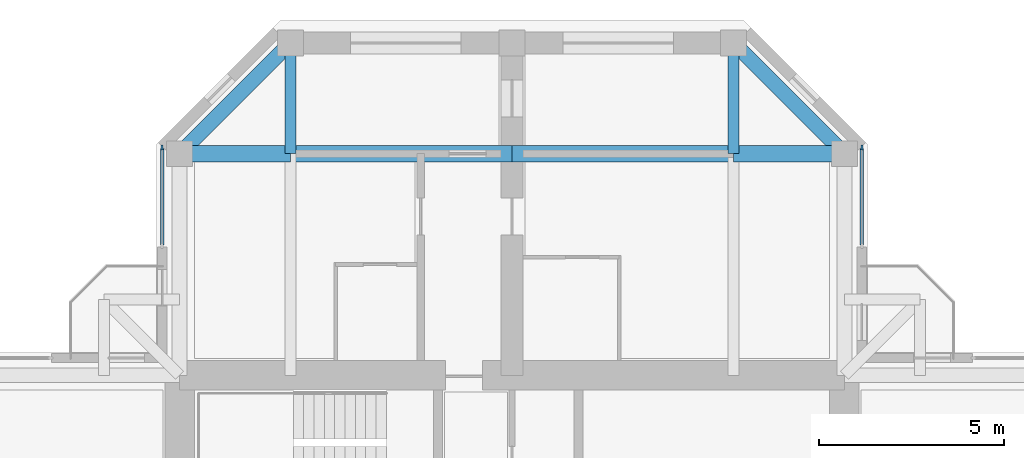
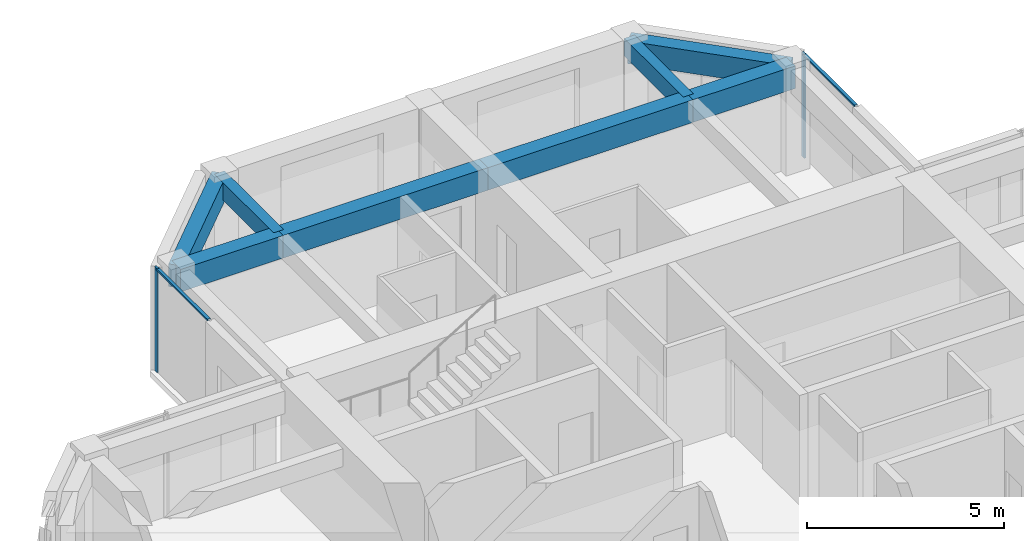
# One storey, part 6 of 13: 8 beams, 4 members, 2 elements without a shape of their own.
"""IFC4 building model written with IfcOpenShell, lengths in metres."""

from ifc_helpers import new_model, si_unit, direction, frame, origin, origin_2d, place, context, subcontext, project, spatial, rectangle, extrude, material, material_profile, profile_set, type_object, element, aggregate, save


model = new_model("IFC4")

# Units and contexts
model_context = context("Model", 3, precision=1e-05, world=origin(), true_north=direction((0.0, 1.0)))
body_context = subcontext(model_context, "Body", "Model", "MODEL_VIEW")
ifc_project = project(units=[si_unit("LENGTHUNIT", "METRE"), si_unit("AREAUNIT", "SQUARE_METRE"), si_unit("VOLUMEUNIT", "CUBIC_METRE"), si_unit("PLANEANGLEUNIT", "RADIAN"), si_unit("MASSUNIT", "GRAM", prefix="KILO")], contexts=[model_context])

# Site, building, storey
site_placement = place(None, origin())
site = spatial("IfcSite", under=ifc_project, at=site_placement, CompositionType="ELEMENT")
building_placement = place(site_placement, origin())
building = spatial("IfcBuilding", under=site, at=building_placement, Name="Torre Cruceta", CompositionType="ELEMENT")
storey_placement = place(building_placement, frame((0.0, 0.0, 267.89990234375)))
storey = spatial("IfcBuildingStorey", under=building, at=storey_placement, Name="L69", CompositionType="ELEMENT", Elevation=267.89990234375)

# Beams
ifc_material_1 = material(Name="Concrete G60 (fck 60 MPa)", Category="concrete")
ifc_material_profile_1 = material_profile(ifc_material_1, rectangle(XDim=0.300048828125, YDim=0.550048828125, at=origin_2d()), Name="RC 300X550")
ifc_profile_set_1 = profile_set([ifc_material_profile_1], Name="Concrete G60 (fck 60 MPa)")
beam_type_1 = type_object("IfcBeamType", Name="COLUMN LINE BEAM RC 300X550", PredefinedType="BEAM", material=ifc_profile_set_1)
for number, where, z_axis, x_axis, name in (
    (1, (6.0, 15.0, 2.945068359375), (0.0, 1.0, 0.0), (-1.0, 0.0, 0.0), "LB10 L69 N col- 2"),
    (2, (-6.0, 15.0, 2.945068359375), (0.0, 1.0, 0.0), (-1.0, 0.0, 0.0), "LB10 L69 N col+ 2"),
):
    element("IfcBeam", number, at=place(storey_placement, frame(where, z_axis=z_axis, x_axis=x_axis)), inside=storey, type_object=beam_type_1, Name=name, PredefinedType="BEAM", context=body_context, shape_type="SweptSolid", body=[
        extrude(rectangle(XDim=0.300048828125, YDim=0.550048828125, at=origin_2d()), origin(), (0.0, 0.0, 1.0), 3.0),
    ])
ifc_material_2 = material(Name="Concrete G60 (fck 60 MPa)", Category="concrete")
ifc_material_profile_2 = material_profile(ifc_material_2, rectangle(XDim=0.449951171875, YDim=0.699951171875, at=origin_2d()), Name="RC 450X700")
ifc_profile_set_2 = profile_set([ifc_material_profile_2], Name="Concrete G60 (fck 60 MPa)")
beam_type_2 = type_object("IfcBeamType", Name="CROSS BEAM RC 450X700", PredefinedType="BEAM", material=ifc_profile_set_2)
beam_1_placement = place(storey_placement, frame((9.0, 15.0, 2.8701171875), z_axis=(-1.0, 0.0, 0.0), x_axis=(0.0, -1.0, 0.0)))
element("IfcBeam", 3, at=beam_1_placement, inside=storey, type_object=beam_type_2, Name="GB8 L69 N cross15 1", PredefinedType="BEAM", context=body_context, shape_type="SweptSolid", body=[
    extrude(rectangle(XDim=0.449951171875, YDim=0.699951171875, at=origin_2d()), origin(), (0.0, 0.0, 1.0), 3.0),
])
for number, where, z_axis, x_axis, name in (
    (4, (6.0, 15.0, 2.8701171875), (-1.0, 0.0, 0.0), (0.0, -1.0, 0.0), "GB8 L69 N cross15 2"),
    (5, (0.0, 15.0, 2.8701171875), (-1.0, 0.0, 0.0), (0.0, -1.0, 0.0), "GB8 L69 N cross15 3"),
):
    element("IfcBeam", number, at=place(storey_placement, frame(where, z_axis=z_axis, x_axis=x_axis)), inside=storey, type_object=beam_type_2, Name=name, PredefinedType="BEAM", context=body_context, shape_type="SweptSolid", body=[
        extrude(rectangle(XDim=0.449951171875, YDim=0.699951171875, at=origin_2d()), origin(), (0.0, 0.0, 1.0), 6.0),
    ])
beam_2_placement = place(storey_placement, frame((-6.0, 15.0, 2.8701171875), z_axis=(-1.0, 0.0, 0.0), x_axis=(0.0, -1.0, 0.0)))
element("IfcBeam", 6, at=beam_2_placement, inside=storey, type_object=beam_type_2, Name="GB8 L69 N cross15 4", PredefinedType="BEAM", context=body_context, shape_type="SweptSolid", body=[
    extrude(rectangle(XDim=0.449951171875, YDim=0.699951171875, at=origin_2d()), origin(), (0.0, 0.0, 1.0), 3.0),
])

# Curtain wall, member
ifc_material_3 = material(Name="Aluminium unitised curtain wall", Category="aluminium")
curtain_wall_type = type_object("IfcCurtainWallType", Name="CURTAIN WALL CW-E CO-LIVING TOP", PredefinedType="USERDEFINED", material=ifc_material_3)
curtain_wall_1_placement = place(storey_placement, origin())
curtain_wall_1 = element("IfcCurtainWall", 7, at=curtain_wall_1_placement, inside=storey, type_object=curtain_wall_type, Name="CW-E L69 N side 05", ObjectType="UNITISED", PredefinedType="USERDEFINED")
ifc_material_4 = material(Name="Aluminium mullion", Category="aluminium")
ifc_material_profile_3 = material_profile(ifc_material_4, rectangle(XDim=0.054931640625, YDim=0.139892578125, at=origin_2d()), Name="AL 55X140")
ifc_profile_set_3 = profile_set([ifc_material_profile_3], Name="Aluminium mullion")
member_type_1 = type_object("IfcMemberType", Name="CW-E MULLION 55X140", PredefinedType="MULLION", material=ifc_profile_set_3)
member_1_placement = place(storey_placement, frame((9.469970703125, 15.167236328125, 0.0), z_axis=(0.0, 0.0, 1.0), x_axis=(-1.0, 0.0, 0.0)))
member_1 = element("IfcMember", 8, at=member_1_placement, type_object=member_type_1, Name="CW-E mullion 2", PredefinedType="MULLION", context=body_context, shape_type="SweptSolid", body=[
    extrude(rectangle(XDim=0.054931640625, YDim=0.139892578125, at=origin_2d()), origin(), (0.0, 0.0, 1.0), 3.22021484375),
])

curtain_wall_2_placement = place(storey_placement, origin())
curtain_wall_2 = element("IfcCurtainWall", 9, at=curtain_wall_2_placement, inside=storey, type_object=curtain_wall_type, Name="CW-E L69 N side 09", ObjectType="UNITISED", PredefinedType="USERDEFINED")
member_2_placement = place(storey_placement, frame((-9.469970703125, 15.167236328125, 0.0), z_axis=(0.0, 0.0, 1.0), x_axis=(1.0, 0.0, 0.0)))
member_2 = element("IfcMember", 10, at=member_2_placement, type_object=member_type_1, Name="CW-E mullion 1", PredefinedType="MULLION", context=body_context, shape_type="SweptSolid", body=[
    extrude(rectangle(XDim=0.054931640625, YDim=0.139892578125, at=origin_2d()), origin(), (0.0, 0.0, 1.0), 3.22021484375),
])

# Member
ifc_material_5 = material(Name="Aluminium transom", Category="aluminium")
ifc_material_profile_4 = material_profile(ifc_material_5, rectangle(XDim=0.090087890625, YDim=0.054931640625, at=origin_2d()), Name="AL 90X55")
ifc_profile_set_4 = profile_set([ifc_material_profile_4], Name="Aluminium transom")
member_type_2 = type_object("IfcMemberType", Name="CW-E TRANSOM 55X90", PredefinedType="USERDEFINED", material=ifc_profile_set_4)
member_3_placement = place(storey_placement, frame((9.469970703125, 12.52490234375, 3.192626953125), z_axis=(0.0, 1.0, 0.0), x_axis=(-1.0, 0.0, 0.0)))
member_3 = element("IfcMember", 11, at=member_3_placement, type_object=member_type_2, Name="CW-E transom 1", ObjectType="TRANSOM", PredefinedType="USERDEFINED", context=body_context, shape_type="SweptSolid", body=[
    extrude(rectangle(XDim=0.090087890625, YDim=0.054931640625, at=origin_2d()), origin(), (0.0, 0.0, 1.0), 2.61474609375),
])

aggregate(curtain_wall_1, [member_1, member_3])

member_4_placement = place(storey_placement, frame((-9.469970703125, 15.1396484375, 3.192626953125), z_axis=(0.0, -1.0, 0.0), x_axis=(1.0, 0.0, 0.0)))
member_4 = element("IfcMember", 12, at=member_4_placement, type_object=member_type_2, Name="CW-E transom 1", ObjectType="TRANSOM", PredefinedType="USERDEFINED", context=body_context, shape_type="SweptSolid", body=[
    extrude(rectangle(XDim=0.090087890625, YDim=0.054931640625, at=origin_2d()), origin(), (0.0, 0.0, 1.0), 2.61474609375),
])

aggregate(curtain_wall_2, [member_2, member_4])

# Beams
ifc_material_6 = material(Name="Concrete G60 (fck 60 MPa)", Category="concrete")
ifc_material_profile_5 = material_profile(ifc_material_6, rectangle(XDim=0.39990234375, YDim=0.699951171875, at=origin_2d()), Name="RC 400X700")
ifc_profile_set_5 = profile_set([ifc_material_profile_5], Name="Concrete G60 (fck 60 MPa)")
beam_type_3 = type_object("IfcBeamType", Name="SPANDREL BEAM RC 400X700", PredefinedType="SPANDREL", material=ifc_profile_set_5)
for number, where, z_axis, x_axis, name in (
    (13, (9.0, 15.0, 2.8701171875), (-0.707106781187, 0.707106781187, 0.0), (-0.707106781187, -0.707106781187, 0.0), "SB8 L69 N side- 2"),
    (14, (-9.0, 15.0, 2.8701171875), (0.707106781187, 0.707106781187, 0.0), (-0.707106781187, 0.707106781187, 0.0), "SB8 L69 N side+ 2"),
):
    element("IfcBeam", number, at=place(storey_placement, frame(where, z_axis=z_axis, x_axis=x_axis)), inside=storey, type_object=beam_type_3, Name=name, PredefinedType="SPANDREL", context=body_context, shape_type="SweptSolid", body=[
        extrude(rectangle(XDim=0.39990234375, YDim=0.699951171875, at=origin_2d()), origin(), (0.0, 0.0, 1.0), 4.24267578125),
    ])

save(model, "model.ifc")
